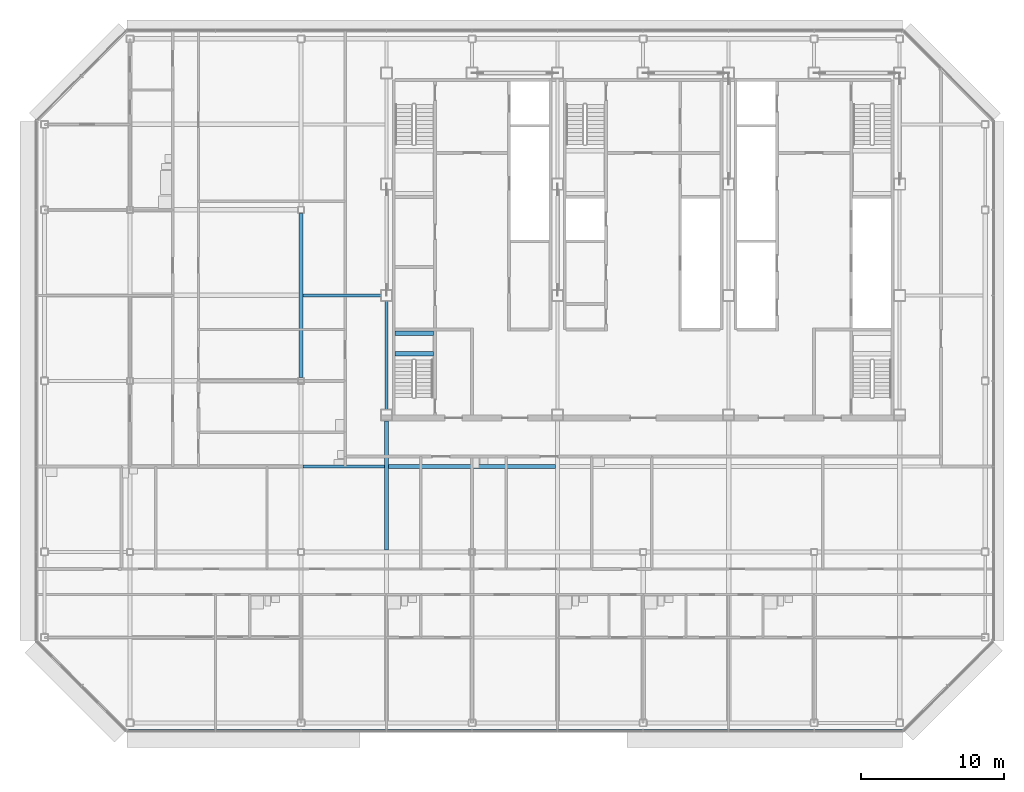
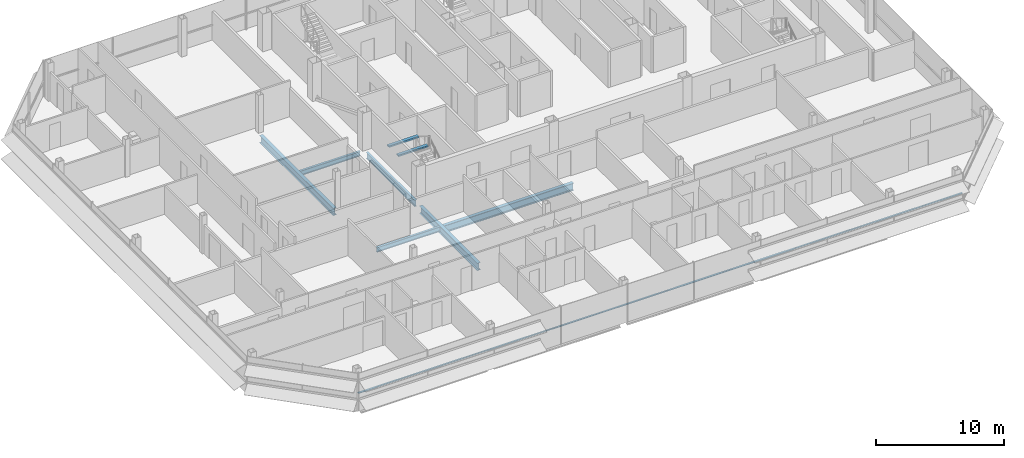
# One storey, part 9 of 28: 8 beams, 1 member, 1 element without a shape of its own.
"""IFC4 building model written with IfcOpenShell, lengths in metres."""

from ifc_helpers import new_model, si_unit, direction, frame, origin, origin_2d, place, context, subcontext, project, spatial, rectangle, i_section, extrude, material, material_profile, profile_set, type_object, element, aggregate, save


model = new_model("IFC4")

# Units and contexts
model_context = context("Model", 3, precision=1e-05, world=origin(), true_north=direction((0.0, 1.0)))
body_context = subcontext(model_context, "Body", "Model", "MODEL_VIEW")
ifc_project = project(units=[si_unit("LENGTHUNIT", "METRE"), si_unit("AREAUNIT", "SQUARE_METRE"), si_unit("VOLUMEUNIT", "CUBIC_METRE"), si_unit("PLANEANGLEUNIT", "RADIAN"), si_unit("MASSUNIT", "GRAM", prefix="KILO")], contexts=[model_context])

# Site, building, storey
site_placement = place(None, origin())
site = spatial("IfcSite", under=ifc_project, at=site_placement, CompositionType="ELEMENT")
building_placement = place(site_placement, origin())
building = spatial("IfcBuilding", under=site, at=building_placement, Name="Sorahane Residences", CompositionType="ELEMENT")
storey_placement = place(building_placement, frame((0.0, 0.0, 301.60009765625)))
storey = spatial("IfcBuildingStorey", under=building, at=storey_placement, Name="L71", CompositionType="ELEMENT", Elevation=301.60009765625)

# Curtain wall, member
ifc_material_1 = material(Name="Dark low-e glass and black anodised aluminium", Category="aluminium")
curtain_wall_type = type_object("IfcCurtainWallType", Name="Curtain wall CW-1 Typical unitised wall", PredefinedType="NOTDEFINED", material=ifc_material_1)
curtain_wall_placement = place(storey_placement, origin())
curtain_wall = element("IfcCurtainWall", 1, at=curtain_wall_placement, inside=storey, type_object=curtain_wall_type, Name="CW-1 curtain wall L71 S1", PredefinedType="NOTDEFINED")
ifc_material_2 = material(Name="Black anodised aluminium", Category="aluminium")
ifc_material_profile_1 = material_profile(ifc_material_2, rectangle(XDim=0.10009765625, YDim=0.06005859375, at=origin_2d()), Name="Curtain wall transom CW-1 black anodised aluminium 60x100")
ifc_profile_set_1 = profile_set([ifc_material_profile_1], Name="Black anodised aluminium")
member_type = type_object("IfcMemberType", Name="Curtain wall transom CW-1 black anodised aluminium 60x100", PredefinedType="USERDEFINED", material=ifc_profile_set_1)
member_placement = place(storey_placement, frame((-12.198486328125, -0.530029296875, 1.5), z_axis=(1.0, 0.0, 0.0), x_axis=(0.0, 1.0, 0.0)))
member = element("IfcMember", 2, at=member_placement, type_object=member_type, Name="CW-1 transom L71 S1", ObjectType="TRANSOM", PredefinedType="USERDEFINED", context=body_context, shape_type="SweptSolid", body=[
    extrude(rectangle(XDim=0.10009765625, YDim=0.06005859375, at=origin_2d()), origin(), (0.0, 0.0, 1.0), 54.39697265625),
])
aggregate(curtain_wall, [member])

# Beams
ifc_material_3 = material(Name="Concrete C40", Category="concrete")
ifc_material_profile_2 = material_profile(ifc_material_3, rectangle(XDim=0.300048828125, YDim=0.139892578125, at=origin_2d()), Name="300x140")
ifc_profile_set_2 = profile_set([ifc_material_profile_2], Name="Concrete C40")
beam_type_1 = type_object("IfcBeamType", Name="RC landing beam 300 x 140 Concrete C40", PredefinedType="BEAM", material=ifc_profile_set_2)
for number, where, z_axis, x_axis, name in (
    (3, (6.60009765625, 25.89990234375, 1.52978515625), (1.0, 0.0, 0.0), (0.0, 1.0, 0.0), "Landing beam"),
    (4, (6.60009765625, 27.35009765625, 1.52978515625), (1.0, 0.0, 0.0), (0.0, 1.0, 0.0), "Landing beam"),
):
    element("IfcBeam", number, at=place(storey_placement, frame(where, z_axis=z_axis, x_axis=x_axis)), inside=storey, type_object=beam_type_1, Name=name, PredefinedType="BEAM", context=body_context, shape_type="SweptSolid", body=[
        extrude(rectangle(XDim=0.300048828125, YDim=0.139892578125, at=origin_2d()), origin(), (0.0, 0.0, 1.0), 2.699951171875),
    ])
ifc_material_4 = material(Name="Steel Q355B", Category="steel")
ifc_material_profile_3 = material_profile(ifc_material_4, i_section(OverallWidth=0.199951171875, OverallDepth=0.449951171875, WebThickness=0.009033203125, FlangeThickness=0.013916015625, FilletRadius=0.02001953125, at=origin_2d()), Name="HN 450x200x9x14")
ifc_profile_set_3 = profile_set([ifc_material_profile_3], Name="Steel Q355B")
beam_type_2 = type_object("IfcBeamType", Name="Steel floor beam HN 450x200x9x14 Q355B", PredefinedType="BEAM", material=ifc_profile_set_3)
beam_1_placement = place(storey_placement, frame((0.14990234375, 18.0, -0.405029296875), z_axis=(1.0, 0.0, 0.0), x_axis=(0.0, 1.0, 0.0)))
element("IfcBeam", 5, at=beam_1_placement, inside=storey, type_object=beam_type_2, Name="Beam L71 078", PredefinedType="BEAM", context=body_context, shape_type="SweptSolid", body=[
    extrude(i_section(OverallWidth=0.199951171875, OverallDepth=0.449951171875, WebThickness=0.009033203125, FlangeThickness=0.013916015625, FilletRadius=0.02001953125, at=origin_2d()), origin(), (0.0, 0.0, 1.0), 5.7001953125),
])
beam_2_placement = place(storey_placement, frame((0.14990234375, 30.0, -0.405029296875), z_axis=(1.0, 0.0, 0.0), x_axis=(0.0, 1.0, 0.0)))
element("IfcBeam", 6, at=beam_2_placement, inside=storey, type_object=beam_type_2, Name="Beam L71 085", PredefinedType="BEAM", context=body_context, shape_type="SweptSolid", body=[
    extrude(i_section(OverallWidth=0.199951171875, OverallDepth=0.449951171875, WebThickness=0.009033203125, FlangeThickness=0.013916015625, FilletRadius=0.02001953125, at=origin_2d()), origin(), (0.0, 0.0, 1.0), 5.4501953125),
])
ifc_material_5 = material(Name="Steel Q355B", Category="steel")
ifc_material_profile_4 = material_profile(ifc_material_5, i_section(OverallWidth=0.199951171875, OverallDepth=0.60009765625, WebThickness=0.010986328125, FlangeThickness=0.01708984375, FilletRadius=0.02392578125, at=origin_2d()), Name="HN 600x200x11x17")
ifc_profile_set_4 = profile_set([ifc_material_profile_4], Name="Steel Q355B")
beam_type_3 = type_object("IfcBeamType", Name="Steel floor beam HN 600x200x11x17 Q355B", PredefinedType="BEAM", material=ifc_profile_set_4)
beam_3_placement = place(storey_placement, frame((6.0, 22.0, -0.47998046875), z_axis=(0.0, 1.0, 0.0), x_axis=(-1.0, 0.0, 0.0)))
element("IfcBeam", 7, at=beam_3_placement, inside=storey, type_object=beam_type_3, Name="Beam L71 034", PredefinedType="BEAM", context=body_context, shape_type="SweptSolid", body=[
    extrude(i_section(OverallWidth=0.199951171875, OverallDepth=0.60009765625, WebThickness=0.010986328125, FlangeThickness=0.01708984375, FilletRadius=0.02392578125, at=origin_2d()), origin(), (0.0, 0.0, 1.0), 7.60009765625),
])
ifc_material_6 = material(Name="Steel Q355B", Category="steel")
ifc_material_profile_5 = material_profile(ifc_material_6, i_section(OverallWidth=0.300048828125, OverallDepth=0.699951171875, WebThickness=0.012939453125, FlangeThickness=0.02392578125, FilletRadius=0.028076171875, at=origin_2d()), Name="HN 700x300x13x24")
ifc_profile_set_5 = profile_set([ifc_material_profile_5], Name="Steel Q355B")
beam_type_4 = type_object("IfcBeamType", Name="Steel floor beam HN 700x300x13x24 Q355B", PredefinedType="BEAM", material=ifc_profile_set_5)
beam_4_placement = place(storey_placement, frame((0.0, 24.25, -0.530029296875), z_axis=(0.0, 1.0, 0.0), x_axis=(-1.0, 0.0, 0.0)))
element("IfcBeam", 8, at=beam_4_placement, inside=storey, type_object=beam_type_4, Name="Beam L71 030", PredefinedType="BEAM", context=body_context, shape_type="SweptSolid", body=[
    extrude(i_section(OverallWidth=0.300048828125, OverallDepth=0.699951171875, WebThickness=0.012939453125, FlangeThickness=0.02392578125, FilletRadius=0.028076171875, at=origin_2d()), origin(), (0.0, 0.0, 1.0), 11.5),
])
beam_5_placement = place(storey_placement, frame((6.0, 12.14990234375, -0.530029296875), z_axis=(0.0, 1.0, 0.0), x_axis=(-1.0, 0.0, 0.0)))
element("IfcBeam", 9, at=beam_5_placement, inside=storey, type_object=beam_type_4, Name="Beam L71 033", PredefinedType="BEAM", context=body_context, shape_type="SweptSolid", body=[
    extrude(i_section(OverallWidth=0.300048828125, OverallDepth=0.699951171875, WebThickness=0.012939453125, FlangeThickness=0.02392578125, FilletRadius=0.028076171875, at=origin_2d()), origin(), (0.0, 0.0, 1.0), 9.050048828125),
])
beam_6_placement = place(storey_placement, frame((6.14990234375, 18.0, -0.530029296875), z_axis=(1.0, 0.0, 0.0), x_axis=(0.0, 1.0, 0.0)))
element("IfcBeam", 10, at=beam_6_placement, inside=storey, type_object=beam_type_4, Name="Beam L71 079", PredefinedType="BEAM", context=body_context, shape_type="SweptSolid", body=[
    extrude(i_section(OverallWidth=0.300048828125, OverallDepth=0.699951171875, WebThickness=0.012939453125, FlangeThickness=0.02392578125, FilletRadius=0.028076171875, at=origin_2d()), origin(), (0.0, 0.0, 1.0), 11.7001953125),
])

save(model, "model.ifc")
